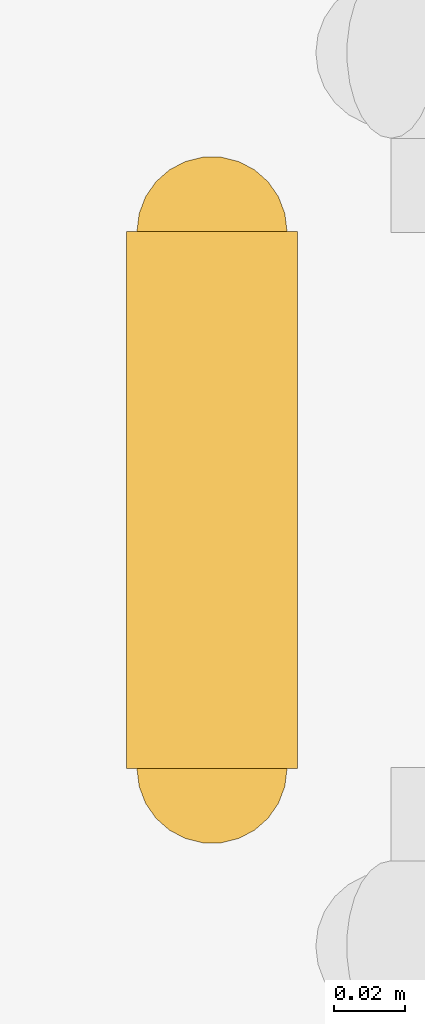
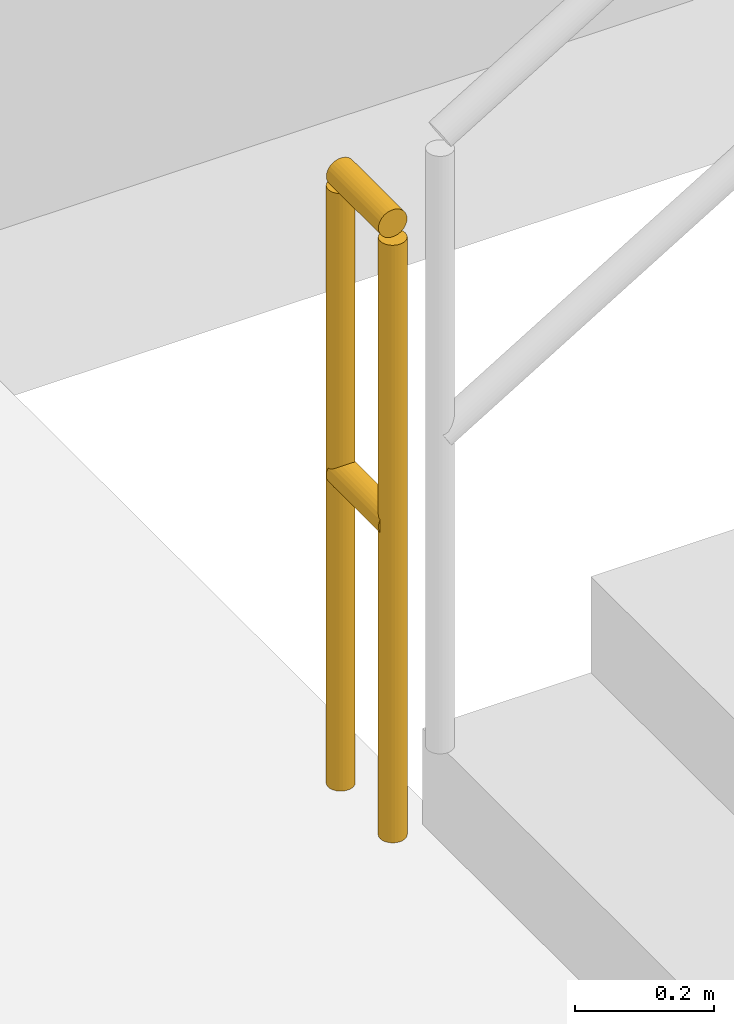
# One storey, part 14 of 16: 1 railing.
"""IFC4 building model written with IfcOpenShell, lengths in metres."""

import ifcopenshell
import ifcopenshell.guid

model = None  # the IFC model being written
_history = None  # IfcOwnerHistory: only IFC2X3 demands one
_inside = {}  # id of a spatial element -> (the spatial element, [elements in it])
_under = {}  # id of a project, library or spatial element -> (it, [spatial elements below it])
_declared = {}  # id of a project -> (the project, [libraries it declares])
_typed = {}  # id of a type object -> (the type object, [elements of that type])
_made_of = {}  # id of a material, layer set ... -> (it, [elements and type objects made of it])


def new_model(schema):
    """Start an empty IFC model of exactly this schema.

    Asked for "IFC4X3", IfcOpenShell would pick the latest addendum, in which some entities
    have other attributes; the version numbers below select the first issue.
    IFC2X3 requires an IfcOwnerHistory on every rooted entity: one is made here for all.
    """
    global model, _history
    if schema == "IFC4X3":
        model = ifcopenshell.file(schema_version=(4, 3, 0, 0))
    else:
        model = ifcopenshell.file(schema=schema)
    _inside.clear()
    _under.clear()
    _declared.clear()
    _typed.clear()
    _made_of.clear()
    _history = None
    if model.schema == "IFC2X3":
        org = make("IfcOrganization", Name="unknown")
        user = make(
            "IfcPersonAndOrganization",
            ThePerson=make("IfcPerson", FamilyName="unknown"),
            TheOrganization=org,
        )
        app = make(
            "IfcApplication",
            ApplicationDeveloper=org,
            Version="unknown",
            ApplicationFullName="unknown",
            ApplicationIdentifier="unknown",
        )
        _history = make(
            "IfcOwnerHistory",
            OwningUser=user,
            OwningApplication=app,
            ChangeAction="ADDED",
            CreationDate=0,
        )
    return model


def make(cls, **values):
    """One entity of the class cls with the attributes given. An attribute that is None is left unset."""
    return model.create_entity(
        cls, **{name: value for name, value in values.items() if value is not None}
    )


def rooted(cls, **values):
    """An entity with a GlobalId (a new one), such as an element, a storey or a relation."""
    return make(cls, GlobalId=ifcopenshell.guid.new(), OwnerHistory=_history, **values)


def si_unit(unit_type, name, prefix=None):
    """IfcSIUnit, for example si_unit("LENGTHUNIT", "METRE", prefix="MILLI")."""
    return make("IfcSIUnit", UnitType=unit_type, Prefix=prefix, Name=name)


def assignment(units):
    """IfcUnitAssignment: the units of a project."""
    return None if units is None else make("IfcUnitAssignment", Units=units)


def point(xyz):
    """IfcCartesianPoint."""
    return None if xyz is None else make("IfcCartesianPoint", Coordinates=xyz)


def direction(xyz):
    """IfcDirection."""
    return None if xyz is None else make("IfcDirection", DirectionRatios=xyz)


def frame(location, z_axis=None, x_axis=None):
    """IfcAxis2Placement3D, a coordinate frame: its origin and axes. An axis left out is left unset."""
    return make(
        "IfcAxis2Placement3D",
        Location=point(location),
        Axis=direction(z_axis),
        RefDirection=direction(x_axis),
    )


def frame_2d(location, x_axis=None):
    """IfcAxis2Placement2D, a coordinate frame in the plane: its origin and x axis."""
    return make(
        "IfcAxis2Placement2D", Location=point(location), RefDirection=direction(x_axis)
    )


def origin():
    """The frame at (0, 0, 0) with its axes left unset."""
    return frame((0.0, 0.0, 0.0))


def origin_2d():
    """The frame at (0, 0) in the plane with its x axis left unset."""
    return frame_2d((0.0, 0.0))


def place(relative_to, where):
    """IfcLocalPlacement: puts the frame where relative to a parent placement (None: the world)."""
    return make(
        "IfcLocalPlacement", PlacementRelTo=relative_to, RelativePlacement=where
    )


def context(
    kind, dimensions, precision=None, world=None, true_north=None, identifier=None
):
    """IfcGeometricRepresentationContext, for example the 3D "Model" context."""
    return make(
        "IfcGeometricRepresentationContext",
        ContextIdentifier=identifier,
        ContextType=kind,
        CoordinateSpaceDimension=dimensions,
        Precision=precision,
        WorldCoordinateSystem=world,
        TrueNorth=true_north,
    )


def subcontext(parent, identifier, kind, view, scale=None):
    """IfcGeometricRepresentationSubContext, for example "Body" below "Model"."""
    return make(
        "IfcGeometricRepresentationSubContext",
        ContextIdentifier=identifier,
        ContextType=kind,
        ParentContext=parent,
        TargetScale=scale,
        TargetView=view,
    )


def project(units=None, contexts=None):
    """IfcProject with its units and contexts."""
    return rooted(
        "IfcProject",
        Name="project",
        RepresentationContexts=contexts,
        UnitsInContext=assignment(units),
    )


def spatial(cls, under=None, at=None, **own):
    """A site, building, storey or space (cls), placed at a placement, below another one or the project."""
    s = rooted(cls, ObjectPlacement=at, **own)
    if under is not None:
        _under.setdefault(under.id(), (under, []))[1].append(s)
    return s


def profile(cls, at=None, kind="AREA", **sizes):
    """A parametric profile (cls). Its sizes go by their IFC names, for example OverallWidth=200.0."""
    return make(cls, ProfileType=kind, Position=at, **sizes)


def circle(**sizes):
    """IfcCircleProfileDef."""
    return profile("IfcCircleProfileDef", **sizes)


def extrude(swept, where, along, depth):
    """IfcExtrudedAreaSolid: the profile swept, set in the frame where, extruded along a direction by depth."""
    return make(
        "IfcExtrudedAreaSolid",
        SweptArea=swept,
        Position=where,
        ExtrudedDirection=direction(along),
        Depth=depth,
    )


def shape(context_of_items, identifier, shape_type, items):
    """IfcShapeRepresentation: the items that make up one representation, for example the "Body"."""
    return make(
        "IfcShapeRepresentation",
        ContextOfItems=context_of_items,
        RepresentationIdentifier=identifier,
        RepresentationType=shape_type,
        Items=items,
    )


def material(Name=None, Category=None):
    """IfcMaterial."""
    return make("IfcMaterial", Name=Name, Category=Category)


def made_of(thing, what):
    """Note that an element or type object is made of a material, layer set ...; save() writes the relation."""
    if what is not None:
        _made_of.setdefault(what.id(), (what, []))[1].append(thing)
    return thing


def type_object(cls, material=None, **own):
    """A type object (cls), such as IfcWallType, which elements share."""
    return made_of(rooted(cls, **own), material)


def element(
    cls,
    number,
    at=None,
    inside=None,
    cuts=None,
    type_object=None,
    material=None,
    context=None,
    identifier="Body",
    shape_type=None,
    held_by="IfcProductDefinitionShape",
    body=None,
    shapes=None,
    **own,
):
    """One element of the class cls, such as IfcWall. Its Tag is "e" and its number.

    at: its placement. inside: the storey or other place that contains it. cuts: it is an
    opening in that element (IfcRelVoidsElement). A single representation is given by context,
    identifier, shape_type and body (its items); several are given by shapes. held_by: the class
    of the entity that holds the representations. save() writes the other relations.
    """
    e = rooted(cls, Tag="e%d" % number, ObjectPlacement=at, **own)
    if body is not None:
        shapes = [shape(context, identifier, shape_type, body)]
    if shapes is not None:
        e.Representation = make(held_by, Representations=shapes)
    if inside is not None:
        _inside.setdefault(inside.id(), (inside, []))[1].append(e)
    if cuts is not None:
        rooted(
            "IfcRelVoidsElement", RelatingBuildingElement=cuts, RelatedOpeningElement=e
        )
    if type_object is not None:
        _typed.setdefault(type_object.id(), (type_object, []))[1].append(e)
    return made_of(e, material)


def aggregate(whole, parts):
    """IfcRelAggregates: a whole, such as a stair, and the parts it consists of."""
    return rooted("IfcRelAggregates", RelatingObject=whole, RelatedObjects=parts)


def save(model, path):
    """Write the relations noted so far, then the file.

    IfcRelAggregates (storeys below a building ...), IfcRelContainedInSpatialStructure (elements
    in a storey), IfcRelDefinesByType, IfcRelAssociatesMaterial and IfcRelDeclares: one each for
    every whole, place, type object, material and project.
    """
    for whole, parts in _under.values():
        aggregate(whole, parts)
    for where, things in _inside.values():
        rooted(
            "IfcRelContainedInSpatialStructure",
            RelatedElements=things,
            RelatingStructure=where,
        )
    for kind, things in _typed.values():
        rooted("IfcRelDefinesByType", RelatedObjects=things, RelatingType=kind)
    for what, things in _made_of.values():
        rooted("IfcRelAssociatesMaterial", RelatedObjects=things, RelatingMaterial=what)
    for by, libraries in _declared.values():
        rooted("IfcRelDeclares", RelatingContext=by, RelatedDefinitions=libraries)
    model.write(path)


model = new_model("IFC4")

# Units and contexts
model_context = context("Model", 3, precision=1e-05, world=origin(), true_north=direction((0.0, 1.0)))
body_context = subcontext(model_context, "Body", "Model", "MODEL_VIEW")
ifc_project = project(units=[si_unit("LENGTHUNIT", "METRE"), si_unit("AREAUNIT", "SQUARE_METRE"), si_unit("VOLUMEUNIT", "CUBIC_METRE"), si_unit("PLANEANGLEUNIT", "RADIAN"), si_unit("MASSUNIT", "GRAM", prefix="KILO")], contexts=[model_context])

# Site, building, storey
site_placement = place(None, origin())
site = spatial("IfcSite", under=ifc_project, at=site_placement, CompositionType="ELEMENT")
building_placement = place(site_placement, origin())
building = spatial("IfcBuilding", under=site, at=building_placement, Name="Veraguas Prism Commons", CompositionType="ELEMENT")
storey_placement = place(building_placement, frame((0.0, 0.0, 9.60009765625)))
storey = spatial("IfcBuildingStorey", under=building, at=storey_placement, Name="L02", CompositionType="ELEMENT", Elevation=9.60009765625)

# Railing
ifc_material = material(Name="Stainless steel AISI 316", Category="steel")
railing_type = type_object("IfcRailingType", Name="Stairwell Safety Guardrail 1100", PredefinedType="GUARDRAIL", material=ifc_material)
railing_placement = place(storey_placement, frame((64.199951171875, 6.64990234375, 0.0)))
element("IfcRailing", 1, at=railing_placement, inside=storey, type_object=railing_type, Name="Stair Guard ST-H1 L02-4", PredefinedType="GUARDRAIL", context=body_context, shape_type="SweptSolid", body=[
    extrude(circle(Radius=0.02392578125, at=origin_2d()), frame((0.0, 0.0, 1.076171875), z_axis=(0.0, 1.0, 0.0), x_axis=(-1.0, 0.0, 0.0)), (0.0, 0.0, 1.0), 0.150146484375),
    extrude(circle(Radius=0.02392578125, at=origin_2d()), frame((0.0, 0.0, 0.550048828125), z_axis=(0.0, 1.0, 0.0), x_axis=(-1.0, 0.0, 0.0)), (0.0, 0.0, 1.0), 0.150146484375),
    extrude(circle(Radius=0.02099609375, at=origin_2d()), origin(), (0.0, 0.0, 1.0), 1.052001953125),
    extrude(circle(Radius=0.02099609375, at=origin_2d()), frame((0.0, 0.150146484375, 0.0)), (0.0, 0.0, 1.0), 1.052001953125),
])

save(model, "model.ifc")
